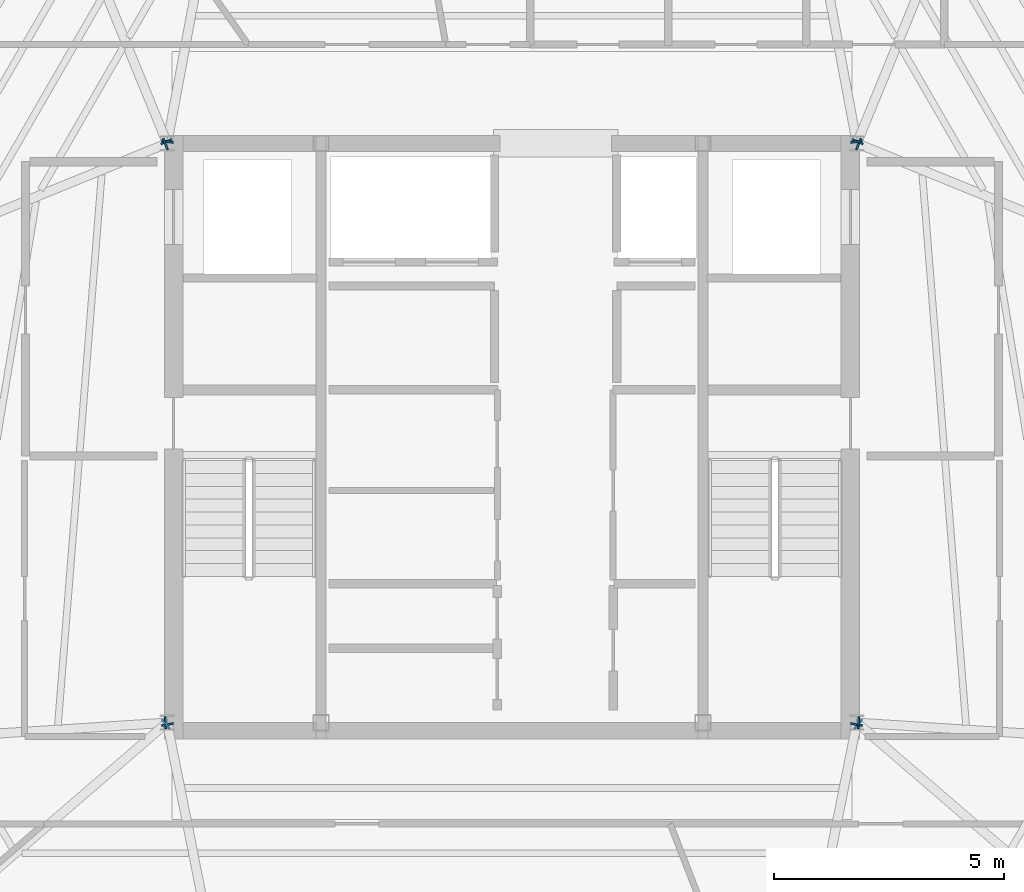
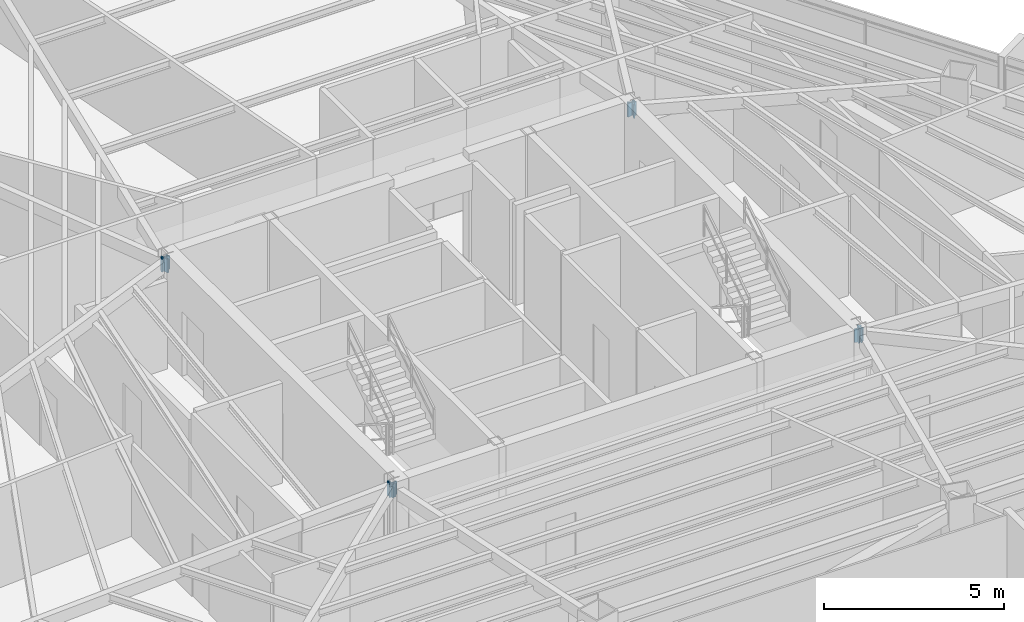
# One storey, part 41 of 47: 12 plates.
"""IFC4 building model written with IfcOpenShell, lengths in metres."""

import ifcopenshell
import ifcopenshell.guid

model = None  # the IFC model being written
_history = None  # IfcOwnerHistory: only IFC2X3 demands one
_inside = {}  # id of a spatial element -> (the spatial element, [elements in it])
_under = {}  # id of a project, library or spatial element -> (it, [spatial elements below it])
_declared = {}  # id of a project -> (the project, [libraries it declares])
_typed = {}  # id of a type object -> (the type object, [elements of that type])
_made_of = {}  # id of a material, layer set ... -> (it, [elements and type objects made of it])


def new_model(schema):
    """Start an empty IFC model of exactly this schema.

    Asked for "IFC4X3", IfcOpenShell would pick the latest addendum, in which some entities
    have other attributes; the version numbers below select the first issue.
    IFC2X3 requires an IfcOwnerHistory on every rooted entity: one is made here for all.
    """
    global model, _history
    if schema == "IFC4X3":
        model = ifcopenshell.file(schema_version=(4, 3, 0, 0))
    else:
        model = ifcopenshell.file(schema=schema)
    _inside.clear()
    _under.clear()
    _declared.clear()
    _typed.clear()
    _made_of.clear()
    _history = None
    if model.schema == "IFC2X3":
        org = make("IfcOrganization", Name="unknown")
        user = make(
            "IfcPersonAndOrganization",
            ThePerson=make("IfcPerson", FamilyName="unknown"),
            TheOrganization=org,
        )
        app = make(
            "IfcApplication",
            ApplicationDeveloper=org,
            Version="unknown",
            ApplicationFullName="unknown",
            ApplicationIdentifier="unknown",
        )
        _history = make(
            "IfcOwnerHistory",
            OwningUser=user,
            OwningApplication=app,
            ChangeAction="ADDED",
            CreationDate=0,
        )
    return model


def make(cls, **values):
    """One entity of the class cls with the attributes given. An attribute that is None is left unset."""
    return model.create_entity(
        cls, **{name: value for name, value in values.items() if value is not None}
    )


def rooted(cls, **values):
    """An entity with a GlobalId (a new one), such as an element, a storey or a relation."""
    return make(cls, GlobalId=ifcopenshell.guid.new(), OwnerHistory=_history, **values)


def si_unit(unit_type, name, prefix=None):
    """IfcSIUnit, for example si_unit("LENGTHUNIT", "METRE", prefix="MILLI")."""
    return make("IfcSIUnit", UnitType=unit_type, Prefix=prefix, Name=name)


def assignment(units):
    """IfcUnitAssignment: the units of a project."""
    return None if units is None else make("IfcUnitAssignment", Units=units)


def point(xyz):
    """IfcCartesianPoint."""
    return None if xyz is None else make("IfcCartesianPoint", Coordinates=xyz)


def direction(xyz):
    """IfcDirection."""
    return None if xyz is None else make("IfcDirection", DirectionRatios=xyz)


def frame(location, z_axis=None, x_axis=None):
    """IfcAxis2Placement3D, a coordinate frame: its origin and axes. An axis left out is left unset."""
    return make(
        "IfcAxis2Placement3D",
        Location=point(location),
        Axis=direction(z_axis),
        RefDirection=direction(x_axis),
    )


def frame_2d(location, x_axis=None):
    """IfcAxis2Placement2D, a coordinate frame in the plane: its origin and x axis."""
    return make(
        "IfcAxis2Placement2D", Location=point(location), RefDirection=direction(x_axis)
    )


def origin():
    """The frame at (0, 0, 0) with its axes left unset."""
    return frame((0.0, 0.0, 0.0))


def origin_2d():
    """The frame at (0, 0) in the plane with its x axis left unset."""
    return frame_2d((0.0, 0.0))


def place(relative_to, where):
    """IfcLocalPlacement: puts the frame where relative to a parent placement (None: the world)."""
    return make(
        "IfcLocalPlacement", PlacementRelTo=relative_to, RelativePlacement=where
    )


def context(
    kind, dimensions, precision=None, world=None, true_north=None, identifier=None
):
    """IfcGeometricRepresentationContext, for example the 3D "Model" context."""
    return make(
        "IfcGeometricRepresentationContext",
        ContextIdentifier=identifier,
        ContextType=kind,
        CoordinateSpaceDimension=dimensions,
        Precision=precision,
        WorldCoordinateSystem=world,
        TrueNorth=true_north,
    )


def subcontext(parent, identifier, kind, view, scale=None):
    """IfcGeometricRepresentationSubContext, for example "Body" below "Model"."""
    return make(
        "IfcGeometricRepresentationSubContext",
        ContextIdentifier=identifier,
        ContextType=kind,
        ParentContext=parent,
        TargetScale=scale,
        TargetView=view,
    )


def project(units=None, contexts=None):
    """IfcProject with its units and contexts."""
    return rooted(
        "IfcProject",
        Name="project",
        RepresentationContexts=contexts,
        UnitsInContext=assignment(units),
    )


def spatial(cls, under=None, at=None, **own):
    """A site, building, storey or space (cls), placed at a placement, below another one or the project."""
    s = rooted(cls, ObjectPlacement=at, **own)
    if under is not None:
        _under.setdefault(under.id(), (under, []))[1].append(s)
    return s


def profile(cls, at=None, kind="AREA", **sizes):
    """A parametric profile (cls). Its sizes go by their IFC names, for example OverallWidth=200.0."""
    return make(cls, ProfileType=kind, Position=at, **sizes)


def rectangle(**sizes):
    """IfcRectangleProfileDef."""
    return profile("IfcRectangleProfileDef", **sizes)


def extrude(swept, where, along, depth):
    """IfcExtrudedAreaSolid: the profile swept, set in the frame where, extruded along a direction by depth."""
    return make(
        "IfcExtrudedAreaSolid",
        SweptArea=swept,
        Position=where,
        ExtrudedDirection=direction(along),
        Depth=depth,
    )


def shape(context_of_items, identifier, shape_type, items):
    """IfcShapeRepresentation: the items that make up one representation, for example the "Body"."""
    return make(
        "IfcShapeRepresentation",
        ContextOfItems=context_of_items,
        RepresentationIdentifier=identifier,
        RepresentationType=shape_type,
        Items=items,
    )


def source(mapping_origin, context_of_items, identifier, shape_type, items):
    """IfcRepresentationMap: a shape defined once, which mapped items show again and again."""
    return make(
        "IfcRepresentationMap",
        MappingOrigin=mapping_origin,
        MappedRepresentation=shape(context_of_items, identifier, shape_type, items),
    )


def transform(
    local_origin,
    x_axis=None,
    y_axis=None,
    z_axis=None,
    scale=None,
    scale2=None,
    scale3=None,
    uniform=True,
):
    """IfcCartesianTransformationOperator3D, or its non-uniform kind. x_axis, y_axis, z_axis: its Axis1, 2, 3."""
    if uniform:
        return make(
            "IfcCartesianTransformationOperator3D",
            Axis1=direction(x_axis),
            Axis2=direction(y_axis),
            LocalOrigin=point(local_origin),
            Scale=scale,
            Axis3=direction(z_axis),
        )
    return make(
        "IfcCartesianTransformationOperator3DnonUniform",
        Axis1=direction(x_axis),
        Axis2=direction(y_axis),
        LocalOrigin=point(local_origin),
        Scale=scale,
        Axis3=direction(z_axis),
        Scale2=scale2,
        Scale3=scale3,
    )


def mapped(mapping_source, mapping_target):
    """IfcMappedItem: shows the shape of a source again, moved by a transform."""
    return make(
        "IfcMappedItem", MappingSource=mapping_source, MappingTarget=mapping_target
    )


def material(Name=None, Category=None):
    """IfcMaterial."""
    return make("IfcMaterial", Name=Name, Category=Category)


def layer(
    of_material, thickness, ventilated=None, Name=None, Category=None, Priority=None
):
    """IfcMaterialLayer: one layer of a wall or slab, of a material (None: an air gap)."""
    return make(
        "IfcMaterialLayer",
        Material=of_material,
        LayerThickness=thickness,
        IsVentilated=ventilated,
        Name=Name,
        Category=Category,
        Priority=Priority,
    )


def layer_set(layers, Name=None):
    """IfcMaterialLayerSet."""
    return make("IfcMaterialLayerSet", MaterialLayers=layers, LayerSetName=Name)


def made_of(thing, what):
    """Note that an element or type object is made of a material, layer set ...; save() writes the relation."""
    if what is not None:
        _made_of.setdefault(what.id(), (what, []))[1].append(thing)
    return thing


def type_object(cls, material=None, **own):
    """A type object (cls), such as IfcWallType, which elements share."""
    return made_of(rooted(cls, **own), material)


def type_shapes(of_type, sources):
    """Give a type object the sources (RepresentationMaps) that its elements show as mapped items."""
    of_type.RepresentationMaps = sources


def element(
    cls,
    number,
    at=None,
    inside=None,
    cuts=None,
    type_object=None,
    material=None,
    context=None,
    identifier="Body",
    shape_type=None,
    held_by="IfcProductDefinitionShape",
    body=None,
    shapes=None,
    **own,
):
    """One element of the class cls, such as IfcWall. Its Tag is "e" and its number.

    at: its placement. inside: the storey or other place that contains it. cuts: it is an
    opening in that element (IfcRelVoidsElement). A single representation is given by context,
    identifier, shape_type and body (its items); several are given by shapes. held_by: the class
    of the entity that holds the representations. save() writes the other relations.
    """
    e = rooted(cls, Tag="e%d" % number, ObjectPlacement=at, **own)
    if body is not None:
        shapes = [shape(context, identifier, shape_type, body)]
    if shapes is not None:
        e.Representation = make(held_by, Representations=shapes)
    if inside is not None:
        _inside.setdefault(inside.id(), (inside, []))[1].append(e)
    if cuts is not None:
        rooted(
            "IfcRelVoidsElement", RelatingBuildingElement=cuts, RelatedOpeningElement=e
        )
    if type_object is not None:
        _typed.setdefault(type_object.id(), (type_object, []))[1].append(e)
    return made_of(e, material)


def aggregate(whole, parts):
    """IfcRelAggregates: a whole, such as a stair, and the parts it consists of."""
    return rooted("IfcRelAggregates", RelatingObject=whole, RelatedObjects=parts)


def save(model, path):
    """Write the relations noted so far, then the file.

    IfcRelAggregates (storeys below a building ...), IfcRelContainedInSpatialStructure (elements
    in a storey), IfcRelDefinesByType, IfcRelAssociatesMaterial and IfcRelDeclares: one each for
    every whole, place, type object, material and project.
    """
    for whole, parts in _under.values():
        aggregate(whole, parts)
    for where, things in _inside.values():
        rooted(
            "IfcRelContainedInSpatialStructure",
            RelatedElements=things,
            RelatingStructure=where,
        )
    for kind, things in _typed.values():
        rooted("IfcRelDefinesByType", RelatedObjects=things, RelatingType=kind)
    for what, things in _made_of.values():
        rooted("IfcRelAssociatesMaterial", RelatedObjects=things, RelatingMaterial=what)
    for by, libraries in _declared.values():
        rooted("IfcRelDeclares", RelatingContext=by, RelatedDefinitions=libraries)
    model.write(path)


model = new_model("IFC4")

# Units and contexts
model_context = context("Model", 3, precision=1e-05, world=origin(), true_north=direction((0.0, 1.0)))
body_context = subcontext(model_context, "Body", "Model", "MODEL_VIEW")
ifc_project = project(units=[si_unit("LENGTHUNIT", "METRE"), si_unit("AREAUNIT", "SQUARE_METRE"), si_unit("VOLUMEUNIT", "CUBIC_METRE"), si_unit("PLANEANGLEUNIT", "RADIAN"), si_unit("MASSUNIT", "GRAM", prefix="KILO")], contexts=[model_context])

# Site, building, storey
site_placement = place(None, origin())
site = spatial("IfcSite", under=ifc_project, at=site_placement, CompositionType="ELEMENT")
building_placement = place(site_placement, origin())
building = spatial("IfcBuilding", under=site, at=building_placement, Name="Caelisora Broadcast Tower", CompositionType="ELEMENT")
storey_placement = place(building_placement, frame((0.0, 0.0, 229.85009765625)))
storey = spatial("IfcBuildingStorey", under=building, at=storey_placement, Name="L60", CompositionType="ELEMENT", Elevation=229.85009765625)

# Plates
ifc_material = material(Name="Steel Grade 350 L15 (AS/NZS 3678)", Category="steel")
ifc_layer = layer(ifc_material, 0.0400390625, Name="Steel Grade 350 L15 (AS/NZS 3678)")
ifc_layer_set = layer_set([ifc_layer], Name="Steel Grade 350 L15 (AS/NZS 3678)")
plate_type = type_object("IfcPlateType", Name="GP04", PredefinedType="USERDEFINED", material=ifc_layer_set)
shared_shape = source(origin(), body_context, "Body", "SweptSolid", [
    extrude(rectangle(XDim=0.260009765625, YDim=0.0400390625, at=origin_2d()), origin(), (0.0, 0.0, 1.0), 0.4599609375),
])
type_shapes(plate_type, [shared_shape])
for number, where, z_axis, x_axis, name in (
    (1, (45.49267578125, 30.039306640625, 2.969970703125), (0.0, 0.0, 1.0), (-0.982999500399, -0.183608230249, 0.0), "L60 gusset plate GP04 (ND-RAD-L60-01)"),
    (2, (30.50732421875, 30.039306640625, 2.969970703125), (0.0, 0.0, 1.0), (-0.982999500399, 0.183608230249, 0.0), "L60 gusset plate GP04 (ND-RAD-L60-02)"),
    (3, (30.48486328125, 30.037109375, 2.969970703125), (0.0, 0.0, 1.0), (-0.92547440327, -0.378810148876, 0.0), "L60 gusset plate GP04 (ND-RAD-L60-03)"),
    (4, (30.462890625, 29.98486328125, 2.969970703125), (0.0, 0.0, 1.0), (0.377517574003, -0.926002419716, 0.0), "L60 gusset plate GP04 (ND-RAD-L60-04)"),
    (5, (30.460205078125, 17.3974609375, 2.969970703125), (0.0, 0.0, 1.0), (0.063661438132, -0.99797155335, 0.0), "L60 gusset plate GP04 (ND-RAD-L60-05)"),
    (6, (30.4697265625, 17.373779296875, 2.969970703125), (0.0, 0.0, 1.0), (0.652230713301, -0.758020512009, 0.0), "L60 gusset plate GP04 (ND-RAD-L60-06)"),
    (7, (30.5078125, 17.36083984375, 2.969970703125), (0.0, 0.0, 1.0), (0.980717121283, 0.195432668772, 0.0), "L60 gusset plate GP04 (ND-RAD-L60-07)"),
    (8, (45.4921875, 17.36083984375, 2.969970703125), (0.0, 0.0, 1.0), (0.980717121283, -0.195432668772, 0.0), "L60 gusset plate GP04 (ND-RAD-L60-08)"),
    (9, (45.5302734375, 17.373779296875, 2.969970703125), (0.0, 0.0, 1.0), (0.652230713301, 0.758020512009, 0.0), "L60 gusset plate GP04 (ND-RAD-L60-09)"),
    (10, (45.539794921875, 17.3974609375, 2.969970703125), (0.0, 0.0, 1.0), (0.063661438132, 0.99797155335, 0.0), "L60 gusset plate GP04 (ND-RAD-L60-10)"),
    (11, (45.537109375, 29.98486328125, 2.969970703125), (0.0, 0.0, 1.0), (0.377517574003, 0.926002419716, 0.0), "L60 gusset plate GP04 (ND-RAD-L60-11)"),
    (12, (45.51513671875, 30.037109375, 2.969970703125), (0.0, 0.0, 1.0), (-0.92547440327, 0.378810148876, 0.0), "L60 gusset plate GP04 (ND-RAD-L60-12)"),
):
    element("IfcPlate", number, at=place(storey_placement, frame(where, z_axis=z_axis, x_axis=x_axis)), inside=storey, type_object=plate_type, Name=name, ObjectType="GUSSET PLATE", PredefinedType="USERDEFINED", context=body_context, shape_type="MappedRepresentation", body=[
        mapped(shared_shape, transform((0.0, 0.0, 0.0), scale=1.0)),
    ])

save(model, "model.ifc")
